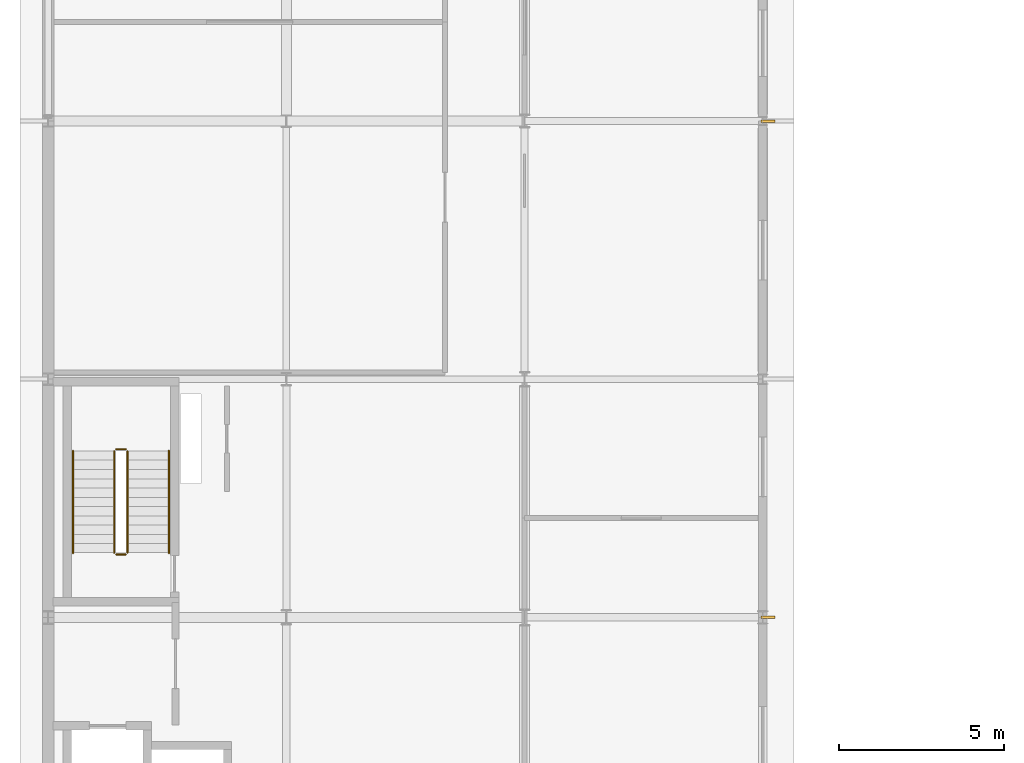
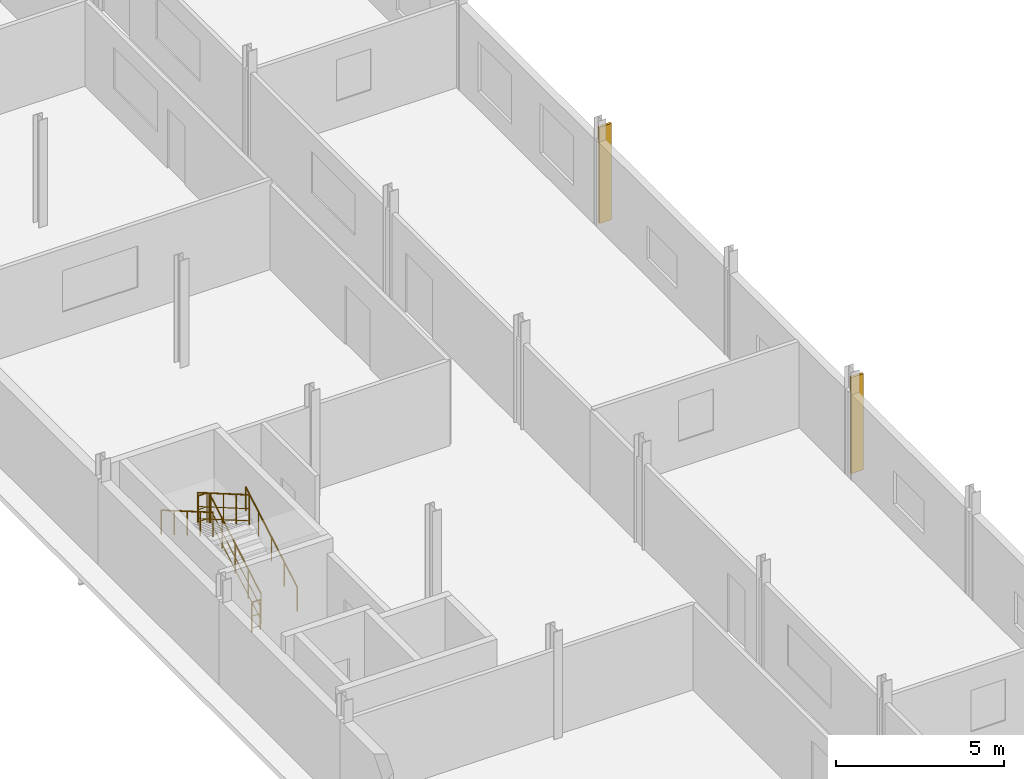
# One storey, part 29 of 30: 6 railings, 2 shading devices.
"""IFC4 building model written with IfcOpenShell, lengths in metres."""

from ifc_helpers import new_model, si_unit, direction, frame, origin, origin_2d, place, context, subcontext, project, spatial, rectangle, circle, extrude, material, type_object, element, save


model = new_model("IFC4")

# Units and contexts
model_context = context("Model", 3, precision=1e-05, world=origin(), true_north=direction((0.0, 1.0)))
body_context = subcontext(model_context, "Body", "Model", "MODEL_VIEW")
ifc_project = project(units=[si_unit("LENGTHUNIT", "METRE"), si_unit("AREAUNIT", "SQUARE_METRE"), si_unit("VOLUMEUNIT", "CUBIC_METRE"), si_unit("PLANEANGLEUNIT", "RADIAN"), si_unit("MASSUNIT", "GRAM", prefix="KILO")], contexts=[model_context])

# Site, building, storey
site_placement = place(None, origin())
site = spatial("IfcSite", under=ifc_project, at=site_placement, CompositionType="ELEMENT")
building_placement = place(site_placement, origin())
building = spatial("IfcBuilding", under=site, at=building_placement, Name="Vinh Khe Railworks Police Headquarters", CompositionType="ELEMENT")
storey_placement = place(building_placement, frame((0.0, 0.0, 21.0)))
storey = spatial("IfcBuildingStorey", under=building, at=storey_placement, Name="L05", CompositionType="ELEMENT", Elevation=21.0)

# Railings
ifc_material_1 = material(Name="Painted tubular steel", Category="steel")
railing_type_1 = type_object("IfcRailingType", Name="RL-GUARD-1100", PredefinedType="GUARDRAIL", material=ifc_material_1)
railing_1_placement = place(storey_placement, frame((3.0, 82.949951171875, 0.16259765625)))
element("IfcRailing", 1, at=railing_1_placement, inside=storey, type_object=railing_type_1, Name="L05 ST-02 stair guard 1", PredefinedType="GUARDRAIL", context=body_context, shape_type="SweptSolid", body=[
    extrude(circle(Radius=0.02392578125, at=origin_2d()), frame((0.0, 0.0, 1.076171875), z_axis=(0.0, 0.864920483161, 0.501908913857), x_axis=(-1.0, 0.0, 0.0)), (0.0, 0.0, 1.0), 3.56103515625),
    extrude(circle(Radius=0.01416015625, at=origin_2d()), frame((0.0, 0.0, 0.132080078125), z_axis=(0.0, 0.864920483161, 0.501908913857), x_axis=(-1.0, 0.0, 0.0)), (0.0, 0.0, 1.0), 3.56103515625),
    extrude(circle(Radius=0.01416015625, at=origin_2d()), frame((0.0, 0.0, 0.572021484375), z_axis=(0.0, 0.864920483161, 0.501908913857), x_axis=(-1.0, 0.0, 0.0)), (0.0, 0.0, 1.0), 3.56103515625),
    extrude(circle(Radius=0.02099609375, at=origin_2d()), origin(), (0.0, 0.0, 1.0), 1.052001953125),
    extrude(circle(Radius=0.02099609375, at=origin_2d()), frame((0.0, 0.77001953125, 0.44677734375)), (0.0, 0.0, 1.0), 1.052001953125),
    extrude(circle(Radius=0.02099609375, at=origin_2d()), frame((0.0, 1.5400390625, 0.8935546875)), (0.0, 0.0, 1.0), 1.052001953125),
    extrude(circle(Radius=0.02099609375, at=origin_2d()), frame((0.0, 2.31005859375, 1.340576171875)), (0.0, 0.0, 1.0), 1.052001953125),
    extrude(circle(Radius=0.02099609375, at=origin_2d()), frame((0.0, 3.080078125, 1.787353515625)), (0.0, 0.0, 1.0), 1.052001953125),
])
railing_2_placement = place(storey_placement, frame((2.949951171875, 86.080078125, 1.949951171875)))
element("IfcRailing", 2, at=railing_2_placement, inside=storey, type_object=railing_type_1, Name="L05 ST-02 stair guard 2", PredefinedType="GUARDRAIL", context=body_context, shape_type="SweptSolid", body=[
    extrude(circle(Radius=0.02392578125, at=origin_2d()), frame((0.0, 0.0, 1.076171875), z_axis=(-1.0, 0.0, 0.0), x_axis=(0.0, -1.0, 0.0)), (0.0, 0.0, 1.0), 0.300048828125),
    extrude(circle(Radius=0.01416015625, at=origin_2d()), frame((0.0, 0.0, 0.132080078125), z_axis=(-1.0, 0.0, 0.0), x_axis=(0.0, -1.0, 0.0)), (0.0, 0.0, 1.0), 0.300048828125),
    extrude(circle(Radius=0.01416015625, at=origin_2d()), frame((0.0, 0.0, 0.572021484375), z_axis=(-1.0, 0.0, 0.0), x_axis=(0.0, -1.0, 0.0)), (0.0, 0.0, 1.0), 0.300048828125),
    extrude(circle(Radius=0.02099609375, at=origin_2d()), origin(), (0.0, 0.0, 1.0), 1.052001953125),
    extrude(circle(Radius=0.02099609375, at=origin_2d()), frame((-0.300048828125, 0.0, 0.0)), (0.0, 0.0, 1.0), 1.052001953125),
])
railing_3_placement = place(storey_placement, frame((2.60009765625, 86.030029296875, 2.112548828125)))
element("IfcRailing", 3, at=railing_3_placement, inside=storey, type_object=railing_type_1, Name="L05 ST-02 stair guard 3", PredefinedType="GUARDRAIL", context=body_context, shape_type="SweptSolid", body=[
    extrude(circle(Radius=0.02392578125, at=origin_2d()), frame((0.0, 0.0, 1.076171875), z_axis=(0.0, -0.864920483161, 0.501908913857), x_axis=(1.0, 0.0, 0.0)), (0.0, 0.0, 1.0), 3.56103515625),
    extrude(circle(Radius=0.01416015625, at=origin_2d()), frame((0.0, 0.0, 0.132080078125), z_axis=(0.0, -0.864920483161, 0.501908913857), x_axis=(1.0, 0.0, 0.0)), (0.0, 0.0, 1.0), 3.56103515625),
    extrude(circle(Radius=0.01416015625, at=origin_2d()), frame((0.0, 0.0, 0.572021484375), z_axis=(0.0, -0.864920483161, 0.501908913857), x_axis=(1.0, 0.0, 0.0)), (0.0, 0.0, 1.0), 3.56103515625),
    extrude(circle(Radius=0.02099609375, at=origin_2d()), origin(), (0.0, 0.0, 1.0), 1.052001953125),
    extrude(circle(Radius=0.02099609375, at=origin_2d()), frame((0.0, -0.77001953125, 0.44677734375)), (0.0, 0.0, 1.0), 1.052001953125),
    extrude(circle(Radius=0.02099609375, at=origin_2d()), frame((0.0, -1.5400390625, 0.8935546875)), (0.0, 0.0, 1.0), 1.052001953125),
    extrude(circle(Radius=0.02099609375, at=origin_2d()), frame((0.0, -2.31005859375, 1.340576171875)), (0.0, 0.0, 1.0), 1.052001953125),
    extrude(circle(Radius=0.02099609375, at=origin_2d()), frame((0.0, -3.080078125, 1.787353515625)), (0.0, 0.0, 1.0), 1.052001953125),
])
railing_4_placement = place(storey_placement, frame((2.949951171875, 82.89990234375, 0.0)))
element("IfcRailing", 4, at=railing_4_placement, inside=storey, type_object=railing_type_1, Name="L05 ST-02 stair guard 4", PredefinedType="GUARDRAIL", context=body_context, shape_type="SweptSolid", body=[
    extrude(circle(Radius=0.02392578125, at=origin_2d()), frame((0.0, 0.0, 1.076171875), z_axis=(-1.0, 0.0, 0.0), x_axis=(0.0, -1.0, 0.0)), (0.0, 0.0, 1.0), 0.300048828125),
    extrude(circle(Radius=0.01416015625, at=origin_2d()), frame((0.0, 0.0, 0.132080078125), z_axis=(-1.0, 0.0, 0.0), x_axis=(0.0, -1.0, 0.0)), (0.0, 0.0, 1.0), 0.300048828125),
    extrude(circle(Radius=0.01416015625, at=origin_2d()), frame((0.0, 0.0, 0.572021484375), z_axis=(-1.0, 0.0, 0.0), x_axis=(0.0, -1.0, 0.0)), (0.0, 0.0, 1.0), 0.300048828125),
    extrude(circle(Radius=0.02099609375, at=origin_2d()), origin(), (0.0, 0.0, 1.0), 1.052001953125),
    extrude(circle(Radius=0.02099609375, at=origin_2d()), frame((-0.300048828125, 0.0, 0.0)), (0.0, 0.0, 1.0), 1.052001953125),
])
ifc_material_2 = material(Name="Brushed stainless steel", Category="steel")
railing_type_2 = type_object("IfcRailingType", Name="RL-HAND-900", PredefinedType="HANDRAIL", material=ifc_material_2)
railing_5_placement = place(storey_placement, frame((4.25, 82.949951171875, 0.16259765625)))
element("IfcRailing", 5, at=railing_5_placement, inside=storey, type_object=railing_type_2, Name="L05 ST-02 stair handrail 1", PredefinedType="HANDRAIL", context=body_context, shape_type="SweptSolid", body=[
    extrude(circle(Radius=0.02392578125, at=origin_2d()), frame((0.0, 0.0, 0.8759765625), z_axis=(0.0, 0.864920483161, 0.501908913857), x_axis=(-1.0, 0.0, 0.0)), (0.0, 0.0, 1.0), 3.56103515625),
    extrude(circle(Radius=0.02099609375, at=origin_2d()), origin(), (0.0, 0.0, 1.0), 0.851806640625),
    extrude(circle(Radius=0.02099609375, at=origin_2d()), frame((0.0, 0.77001953125, 0.44677734375)), (0.0, 0.0, 1.0), 0.851806640625),
    extrude(circle(Radius=0.02099609375, at=origin_2d()), frame((0.0, 1.5400390625, 0.8935546875)), (0.0, 0.0, 1.0), 0.851806640625),
    extrude(circle(Radius=0.02099609375, at=origin_2d()), frame((0.0, 2.31005859375, 1.340576171875)), (0.0, 0.0, 1.0), 0.851806640625),
    extrude(circle(Radius=0.02099609375, at=origin_2d()), frame((0.0, 3.080078125, 1.787353515625)), (0.0, 0.0, 1.0), 0.851806640625),
])
railing_6_placement = place(storey_placement, frame((1.35009765625, 86.030029296875, 2.112548828125)))
element("IfcRailing", 6, at=railing_6_placement, inside=storey, type_object=railing_type_2, Name="L05 ST-02 stair handrail 2", PredefinedType="HANDRAIL", context=body_context, shape_type="SweptSolid", body=[
    extrude(circle(Radius=0.02392578125, at=origin_2d()), frame((0.0, 0.0, 0.8759765625), z_axis=(0.0, -0.864920483161, 0.501908913857), x_axis=(1.0, 0.0, 0.0)), (0.0, 0.0, 1.0), 3.56103515625),
    extrude(circle(Radius=0.02099609375, at=origin_2d()), origin(), (0.0, 0.0, 1.0), 0.851806640625),
    extrude(circle(Radius=0.02099609375, at=origin_2d()), frame((0.0, -0.77001953125, 0.44677734375)), (0.0, 0.0, 1.0), 0.851806640625),
    extrude(circle(Radius=0.02099609375, at=origin_2d()), frame((0.0, -1.5400390625, 0.8935546875)), (0.0, 0.0, 1.0), 0.851806640625),
    extrude(circle(Radius=0.02099609375, at=origin_2d()), frame((0.0, -2.31005859375, 1.340576171875)), (0.0, 0.0, 1.0), 0.851806640625),
    extrude(circle(Radius=0.02099609375, at=origin_2d()), frame((0.0, -3.080078125, 1.787353515625)), (0.0, 0.0, 1.0), 0.851806640625),
])

# Shading devices
ifc_material_3 = material(Name="Salvaged ironwood timber", Category="wood")
shading_device_type = type_object("IfcShadingDeviceType", Name="SHD-MSF-01", PredefinedType="JALOUSIE", material=ifc_material_3)
for number, where, z_axis, x_axis, name in (
    (7, (22.360107421875, 81.0, 0.10009765625), (0.0, 0.0, 1.0), (1.0, 0.0, 0.0), "Monsoon Court Solar Fin V5 L05-5"),
    (8, (22.360107421875, 96.0, 0.10009765625), (0.0, 0.0, 1.0), (1.0, 0.0, 0.0), "Monsoon Court Solar Fin V5 L05-6"),
):
    element("IfcShadingDevice", number, at=place(storey_placement, frame(where, z_axis=z_axis, x_axis=x_axis)), inside=storey, type_object=shading_device_type, Name=name, PredefinedType="JALOUSIE", context=body_context, shape_type="SweptSolid", body=[
        extrude(rectangle(XDim=0.419921875, YDim=0.080078125, at=origin_2d()), origin(), (0.0, 0.0, 1.0), 3.5),
    ])

save(model, "model.ifc")
